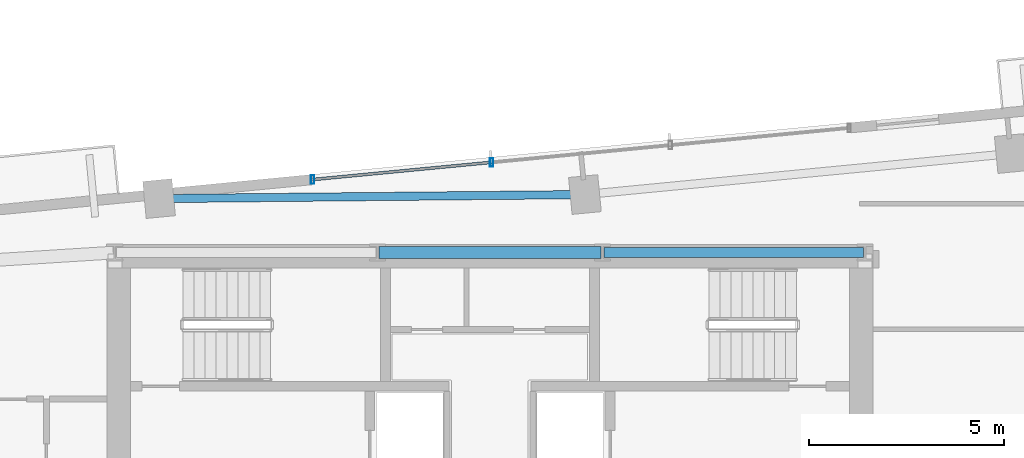
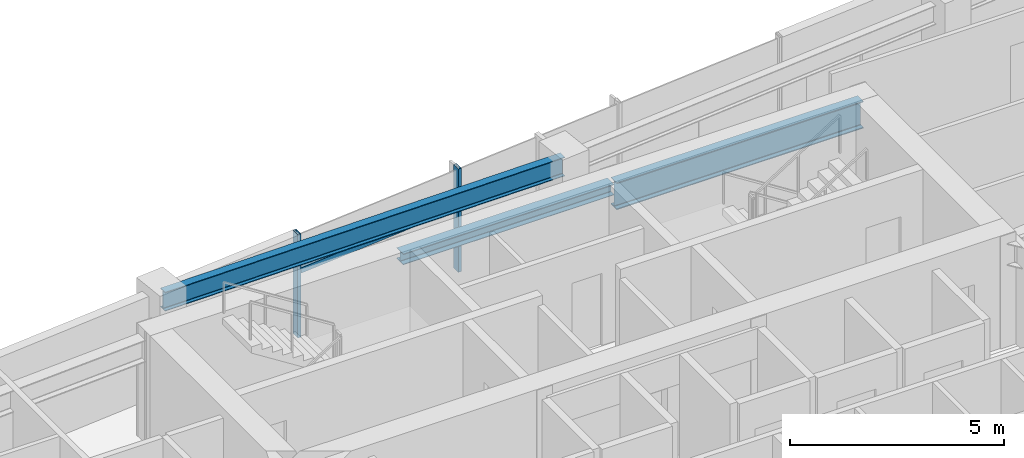
# One storey, part 6 of 18: 3 beams, 3 members, 1 element without a shape of its own.
"""IFC4 building model written with IfcOpenShell, lengths in metres."""

import ifcopenshell
import ifcopenshell.guid

model = None  # the IFC model being written
_history = None  # IfcOwnerHistory: only IFC2X3 demands one
_inside = {}  # id of a spatial element -> (the spatial element, [elements in it])
_under = {}  # id of a project, library or spatial element -> (it, [spatial elements below it])
_declared = {}  # id of a project -> (the project, [libraries it declares])
_typed = {}  # id of a type object -> (the type object, [elements of that type])
_made_of = {}  # id of a material, layer set ... -> (it, [elements and type objects made of it])


def new_model(schema):
    """Start an empty IFC model of exactly this schema.

    Asked for "IFC4X3", IfcOpenShell would pick the latest addendum, in which some entities
    have other attributes; the version numbers below select the first issue.
    IFC2X3 requires an IfcOwnerHistory on every rooted entity: one is made here for all.
    """
    global model, _history
    if schema == "IFC4X3":
        model = ifcopenshell.file(schema_version=(4, 3, 0, 0))
    else:
        model = ifcopenshell.file(schema=schema)
    _inside.clear()
    _under.clear()
    _declared.clear()
    _typed.clear()
    _made_of.clear()
    _history = None
    if model.schema == "IFC2X3":
        org = make("IfcOrganization", Name="unknown")
        user = make(
            "IfcPersonAndOrganization",
            ThePerson=make("IfcPerson", FamilyName="unknown"),
            TheOrganization=org,
        )
        app = make(
            "IfcApplication",
            ApplicationDeveloper=org,
            Version="unknown",
            ApplicationFullName="unknown",
            ApplicationIdentifier="unknown",
        )
        _history = make(
            "IfcOwnerHistory",
            OwningUser=user,
            OwningApplication=app,
            ChangeAction="ADDED",
            CreationDate=0,
        )
    return model


def make(cls, **values):
    """One entity of the class cls with the attributes given. An attribute that is None is left unset."""
    return model.create_entity(
        cls, **{name: value for name, value in values.items() if value is not None}
    )


def rooted(cls, **values):
    """An entity with a GlobalId (a new one), such as an element, a storey or a relation."""
    return make(cls, GlobalId=ifcopenshell.guid.new(), OwnerHistory=_history, **values)


def si_unit(unit_type, name, prefix=None):
    """IfcSIUnit, for example si_unit("LENGTHUNIT", "METRE", prefix="MILLI")."""
    return make("IfcSIUnit", UnitType=unit_type, Prefix=prefix, Name=name)


def assignment(units):
    """IfcUnitAssignment: the units of a project."""
    return None if units is None else make("IfcUnitAssignment", Units=units)


def point(xyz):
    """IfcCartesianPoint."""
    return None if xyz is None else make("IfcCartesianPoint", Coordinates=xyz)


def direction(xyz):
    """IfcDirection."""
    return None if xyz is None else make("IfcDirection", DirectionRatios=xyz)


def frame(location, z_axis=None, x_axis=None):
    """IfcAxis2Placement3D, a coordinate frame: its origin and axes. An axis left out is left unset."""
    return make(
        "IfcAxis2Placement3D",
        Location=point(location),
        Axis=direction(z_axis),
        RefDirection=direction(x_axis),
    )


def frame_2d(location, x_axis=None):
    """IfcAxis2Placement2D, a coordinate frame in the plane: its origin and x axis."""
    return make(
        "IfcAxis2Placement2D", Location=point(location), RefDirection=direction(x_axis)
    )


def origin():
    """The frame at (0, 0, 0) with its axes left unset."""
    return frame((0.0, 0.0, 0.0))


def origin_2d():
    """The frame at (0, 0) in the plane with its x axis left unset."""
    return frame_2d((0.0, 0.0))


def place(relative_to, where):
    """IfcLocalPlacement: puts the frame where relative to a parent placement (None: the world)."""
    return make(
        "IfcLocalPlacement", PlacementRelTo=relative_to, RelativePlacement=where
    )


def context(
    kind, dimensions, precision=None, world=None, true_north=None, identifier=None
):
    """IfcGeometricRepresentationContext, for example the 3D "Model" context."""
    return make(
        "IfcGeometricRepresentationContext",
        ContextIdentifier=identifier,
        ContextType=kind,
        CoordinateSpaceDimension=dimensions,
        Precision=precision,
        WorldCoordinateSystem=world,
        TrueNorth=true_north,
    )


def subcontext(parent, identifier, kind, view, scale=None):
    """IfcGeometricRepresentationSubContext, for example "Body" below "Model"."""
    return make(
        "IfcGeometricRepresentationSubContext",
        ContextIdentifier=identifier,
        ContextType=kind,
        ParentContext=parent,
        TargetScale=scale,
        TargetView=view,
    )


def project(units=None, contexts=None):
    """IfcProject with its units and contexts."""
    return rooted(
        "IfcProject",
        Name="project",
        RepresentationContexts=contexts,
        UnitsInContext=assignment(units),
    )


def spatial(cls, under=None, at=None, **own):
    """A site, building, storey or space (cls), placed at a placement, below another one or the project."""
    s = rooted(cls, ObjectPlacement=at, **own)
    if under is not None:
        _under.setdefault(under.id(), (under, []))[1].append(s)
    return s


def profile(cls, at=None, kind="AREA", **sizes):
    """A parametric profile (cls). Its sizes go by their IFC names, for example OverallWidth=200.0."""
    return make(cls, ProfileType=kind, Position=at, **sizes)


def hollow_rectangle(**sizes):
    """IfcRectangleHollowProfileDef."""
    return profile("IfcRectangleHollowProfileDef", **sizes)


def i_section(**sizes):
    """IfcIShapeProfileDef."""
    return profile("IfcIShapeProfileDef", **sizes)


def extrude(swept, where, along, depth):
    """IfcExtrudedAreaSolid: the profile swept, set in the frame where, extruded along a direction by depth."""
    return make(
        "IfcExtrudedAreaSolid",
        SweptArea=swept,
        Position=where,
        ExtrudedDirection=direction(along),
        Depth=depth,
    )


def shape(context_of_items, identifier, shape_type, items):
    """IfcShapeRepresentation: the items that make up one representation, for example the "Body"."""
    return make(
        "IfcShapeRepresentation",
        ContextOfItems=context_of_items,
        RepresentationIdentifier=identifier,
        RepresentationType=shape_type,
        Items=items,
    )


def source(mapping_origin, context_of_items, identifier, shape_type, items):
    """IfcRepresentationMap: a shape defined once, which mapped items show again and again."""
    return make(
        "IfcRepresentationMap",
        MappingOrigin=mapping_origin,
        MappedRepresentation=shape(context_of_items, identifier, shape_type, items),
    )


def transform(
    local_origin,
    x_axis=None,
    y_axis=None,
    z_axis=None,
    scale=None,
    scale2=None,
    scale3=None,
    uniform=True,
):
    """IfcCartesianTransformationOperator3D, or its non-uniform kind. x_axis, y_axis, z_axis: its Axis1, 2, 3."""
    if uniform:
        return make(
            "IfcCartesianTransformationOperator3D",
            Axis1=direction(x_axis),
            Axis2=direction(y_axis),
            LocalOrigin=point(local_origin),
            Scale=scale,
            Axis3=direction(z_axis),
        )
    return make(
        "IfcCartesianTransformationOperator3DnonUniform",
        Axis1=direction(x_axis),
        Axis2=direction(y_axis),
        LocalOrigin=point(local_origin),
        Scale=scale,
        Axis3=direction(z_axis),
        Scale2=scale2,
        Scale3=scale3,
    )


def mapped(mapping_source, mapping_target):
    """IfcMappedItem: shows the shape of a source again, moved by a transform."""
    return make(
        "IfcMappedItem", MappingSource=mapping_source, MappingTarget=mapping_target
    )


def material(Name=None, Category=None):
    """IfcMaterial."""
    return make("IfcMaterial", Name=Name, Category=Category)


def material_profile(
    of_material, cross_section, Name=None, Category=None, Priority=None
):
    """IfcMaterialProfile: a cross section and its material."""
    return make(
        "IfcMaterialProfile",
        Name=Name,
        Material=of_material,
        Profile=cross_section,
        Priority=Priority,
        Category=Category,
    )


def profile_set(profiles, Name=None, composite=None):
    """IfcMaterialProfileSet."""
    return make(
        "IfcMaterialProfileSet",
        Name=Name,
        MaterialProfiles=profiles,
        CompositeProfile=composite,
    )


def made_of(thing, what):
    """Note that an element or type object is made of a material, layer set ...; save() writes the relation."""
    if what is not None:
        _made_of.setdefault(what.id(), (what, []))[1].append(thing)
    return thing


def type_object(cls, material=None, **own):
    """A type object (cls), such as IfcWallType, which elements share."""
    return made_of(rooted(cls, **own), material)


def type_shapes(of_type, sources):
    """Give a type object the sources (RepresentationMaps) that its elements show as mapped items."""
    of_type.RepresentationMaps = sources


def element(
    cls,
    number,
    at=None,
    inside=None,
    cuts=None,
    type_object=None,
    material=None,
    context=None,
    identifier="Body",
    shape_type=None,
    held_by="IfcProductDefinitionShape",
    body=None,
    shapes=None,
    **own,
):
    """One element of the class cls, such as IfcWall. Its Tag is "e" and its number.

    at: its placement. inside: the storey or other place that contains it. cuts: it is an
    opening in that element (IfcRelVoidsElement). A single representation is given by context,
    identifier, shape_type and body (its items); several are given by shapes. held_by: the class
    of the entity that holds the representations. save() writes the other relations.
    """
    e = rooted(cls, Tag="e%d" % number, ObjectPlacement=at, **own)
    if body is not None:
        shapes = [shape(context, identifier, shape_type, body)]
    if shapes is not None:
        e.Representation = make(held_by, Representations=shapes)
    if inside is not None:
        _inside.setdefault(inside.id(), (inside, []))[1].append(e)
    if cuts is not None:
        rooted(
            "IfcRelVoidsElement", RelatingBuildingElement=cuts, RelatedOpeningElement=e
        )
    if type_object is not None:
        _typed.setdefault(type_object.id(), (type_object, []))[1].append(e)
    return made_of(e, material)


def aggregate(whole, parts):
    """IfcRelAggregates: a whole, such as a stair, and the parts it consists of."""
    return rooted("IfcRelAggregates", RelatingObject=whole, RelatedObjects=parts)


def save(model, path):
    """Write the relations noted so far, then the file.

    IfcRelAggregates (storeys below a building ...), IfcRelContainedInSpatialStructure (elements
    in a storey), IfcRelDefinesByType, IfcRelAssociatesMaterial and IfcRelDeclares: one each for
    every whole, place, type object, material and project.
    """
    for whole, parts in _under.values():
        aggregate(whole, parts)
    for where, things in _inside.values():
        rooted(
            "IfcRelContainedInSpatialStructure",
            RelatedElements=things,
            RelatingStructure=where,
        )
    for kind, things in _typed.values():
        rooted("IfcRelDefinesByType", RelatedObjects=things, RelatingType=kind)
    for what, things in _made_of.values():
        rooted("IfcRelAssociatesMaterial", RelatedObjects=things, RelatingMaterial=what)
    for by, libraries in _declared.values():
        rooted("IfcRelDeclares", RelatingContext=by, RelatedDefinitions=libraries)
    model.write(path)


model = new_model("IFC4")

# Units and contexts
model_context = context("Model", 3, precision=1e-05, world=origin(), true_north=direction((0.0, 1.0)))
body_context = subcontext(model_context, "Body", "Model", "MODEL_VIEW")
ifc_project = project(units=[si_unit("LENGTHUNIT", "METRE"), si_unit("AREAUNIT", "SQUARE_METRE"), si_unit("VOLUMEUNIT", "CUBIC_METRE"), si_unit("PLANEANGLEUNIT", "RADIAN"), si_unit("MASSUNIT", "GRAM", prefix="KILO")], contexts=[model_context])

# Site, building, storey
site_placement = place(None, origin())
site = spatial("IfcSite", under=ifc_project, at=site_placement, CompositionType="ELEMENT")
building_placement = place(site_placement, origin())
building = spatial("IfcBuilding", under=site, at=building_placement, Name="Astriad Promenade Condominiums", CompositionType="ELEMENT")
storey_placement = place(building_placement, frame((0.0, 0.0, 182.60009765625)))
storey = spatial("IfcBuildingStorey", under=building, at=storey_placement, Name="L52", CompositionType="ELEMENT", Elevation=182.60009765625)

# Beams
ifc_material_1 = material(Name="Steel ASTM A992 Grade 50", Category="steel")
ifc_material_profile_1 = material_profile(ifc_material_1, i_section(OverallWidth=0.267822265625, OverallDepth=0.76953125, WebThickness=0.015625, FlangeThickness=0.025390625, FilletRadius=0.021484375, at=origin_2d()), Name="W30X132")
ifc_profile_set_1 = profile_set([ifc_material_profile_1], Name="Steel ASTM A992 Grade 50")
beam_type_1 = type_object("IfcBeamType", Name="STEEL FLOOR GIRDER W30X132", PredefinedType="BEAM", material=ifc_profile_set_1)
shared_shape_1 = source(origin(), body_context, "Body", "SweptSolid", [
    extrude(i_section(OverallWidth=0.267822265625, OverallDepth=0.76953125, WebThickness=0.015625, FlangeThickness=0.025390625, FilletRadius=0.021484375, at=origin_2d()), origin(), (0.0, 0.0, 1.0), 6.64013671875),
])
type_shapes(beam_type_1, [shared_shape_1])
beam_1_placement = place(storey_placement, frame((38.919921875, 24.0, 2.55517578125), z_axis=(1.0, 0.0, 0.0), x_axis=(0.0, 1.0, 0.0)))
element("IfcBeam", 1, at=beam_1_placement, inside=storey, type_object=beam_type_1, Name="Core Ring Beam CG-N3-L52", PredefinedType="BEAM", context=body_context, shape_type="MappedRepresentation", body=[
    mapped(shared_shape_1, transform((0.0, 0.0, 0.0), scale=1.0)),
])
ifc_material_profile_2 = material_profile(ifc_material_1, i_section(OverallWidth=0.3046875, OverallDepth=0.307861328125, WebThickness=0.010009765625, FlangeThickness=0.015380859375, FilletRadius=0.01513671875, at=origin_2d()), Name="W12X65")
ifc_profile_set_2 = profile_set([ifc_material_profile_2], Name="Steel ASTM A992 Grade 50")
beam_type_2 = type_object("IfcBeamType", Name="STEEL OPENING LINTEL W12X65", PredefinedType="LINTEL", material=ifc_profile_set_2)
shared_shape_2 = source(origin(), body_context, "Body", "SweptSolid", [
    extrude(i_section(OverallWidth=0.3046875, OverallDepth=0.307861328125, WebThickness=0.010009765625, FlangeThickness=0.015380859375, FilletRadius=0.01513671875, at=origin_2d()), origin(), (0.0, 0.0, 1.0), 5.68017578125),
])
type_shapes(beam_type_2, [shared_shape_2])
beam_2_placement = place(storey_placement, frame((33.159912109375, 24.0, 2.785888671875), z_axis=(1.0, 0.0, 0.0), x_axis=(0.0, 1.0, 0.0)))
element("IfcBeam", 2, at=beam_2_placement, inside=storey, type_object=beam_type_2, Name="Core Ring Beam CG-N2-L52", PredefinedType="LINTEL", context=body_context, shape_type="MappedRepresentation", body=[
    mapped(shared_shape_2, transform((0.0, 0.0, 0.0), scale=1.0)),
])
ifc_material_profile_3 = material_profile(ifc_material_1, i_section(OverallWidth=0.210693359375, OverallDepth=0.53955078125, WebThickness=0.01171875, FlangeThickness=0.018798828125, FilletRadius=0.0166015625, at=origin_2d()), Name="W21X73")
ifc_profile_set_3 = profile_set([ifc_material_profile_3], Name="Steel ASTM A992 Grade 50")
beam_type_3 = type_object("IfcBeamType", Name="STEEL SPANDREL BEAM W21X73", PredefinedType="SPANDREL", material=ifc_profile_set_3)
shared_shape_3 = source(origin(), body_context, "Body", "SweptSolid", [
    extrude(i_section(OverallWidth=0.210693359375, OverallDepth=0.53955078125, WebThickness=0.01171875, FlangeThickness=0.018798828125, FilletRadius=0.0166015625, at=origin_2d()), origin(), (0.0, 0.0, 1.0), 10.820068359375),
])
type_shapes(beam_type_3, [shared_shape_3])
beam_3_placement = place(storey_placement, frame((38.391357421875, 25.482666015625, 2.670166015625), z_axis=(-0.999955308161, -0.009454188553, 0.0), x_axis=(0.009454188553, -0.999955308161, 0.0)))
element("IfcBeam", 3, at=beam_3_placement, inside=storey, type_object=beam_type_3, Name="Perimeter Spandrel Beam SP-N2-L52", PredefinedType="SPANDREL", context=body_context, shape_type="MappedRepresentation", body=[
    mapped(shared_shape_3, transform((0.0, 0.0, 0.0), scale=1.0)),
])

# Curtain wall, members
ifc_material_2 = material(Name="Anodised aluminium Black Dark Glass Unitised", Category="aluminium")
curtain_wall_type = type_object("IfcCurtainWallType", Name="CW-B34-DARK", PredefinedType="USERDEFINED", material=ifc_material_2)
curtain_wall_placement = place(storey_placement, origin())
curtain_wall = element("IfcCurtainWall", 4, at=curtain_wall_placement, inside=storey, type_object=curtain_wall_type, Name="CW-L52-N", ObjectType="UNITISED_CURTAIN_WALL", PredefinedType="USERDEFINED")
ifc_material_3 = material(Name="Anodised aluminium 6063-T6 Black", Category="aluminium")
ifc_material_profile_4 = material_profile(ifc_material_3, hollow_rectangle(XDim=0.0849609375, YDim=0.219970703125, WallThickness=0.0048828125, at=origin_2d()), Name="ALU-MUL-85X220")
ifc_profile_set_4 = profile_set([ifc_material_profile_4], Name="Anodised aluminium 6063-T6 Black")
member_type_1 = type_object("IfcMemberType", Name="MUL-ALU-MUL-85X220", PredefinedType="MULLION", material=ifc_profile_set_4)
shared_shape_4 = source(origin(), body_context, "Body", "SweptSolid", [
    extrude(hollow_rectangle(XDim=0.0849609375, YDim=0.219970703125, WallThickness=0.0048828125, at=origin_2d()), origin(), (0.0, 0.0, 1.0), 2.93994140625),
])
type_shapes(member_type_1, [shared_shape_4])
member_1_placement = place(storey_placement, frame((31.46240234375, 25.866943359375, 0.0), z_axis=(0.0, 0.0, 1.0), x_axis=(1.0, 0.0, 0.0)))
member_1 = element("IfcMember", 5, at=member_1_placement, type_object=member_type_1, Name="CW-L52-N-MUL-00", PredefinedType="MULLION", context=body_context, shape_type="MappedRepresentation", body=[
    mapped(shared_shape_4, transform((0.0, 0.0, 0.0), scale=1.0)),
])
member_2_placement = place(storey_placement, frame((36.041259765625, 26.307861328125, 0.0), z_axis=(0.0, 0.0, 1.0), x_axis=(1.0, 0.0, 0.0)))
member_2 = element("IfcMember", 6, at=member_2_placement, type_object=member_type_1, Name="CW-L52-N-MUL-01", PredefinedType="MULLION", context=body_context, shape_type="MappedRepresentation", body=[
    mapped(shared_shape_4, transform((0.0, 0.0, 0.0), scale=1.0)),
])
ifc_material_profile_5 = material_profile(ifc_material_3, hollow_rectangle(XDim=0.074951171875, YDim=0.14990234375, WallThickness=0.004150390625, at=origin_2d()), Name="ALU-TRN-75X150")
ifc_profile_set_5 = profile_set([ifc_material_profile_5], Name="Anodised aluminium 6063-T6 Black")
member_type_2 = type_object("IfcMemberType", Name="TRN-ALU-TRN-75X150", PredefinedType="USERDEFINED", material=ifc_profile_set_5)
shared_shape_5 = source(origin(), body_context, "Body", "SweptSolid", [
    extrude(hollow_rectangle(XDim=0.074951171875, YDim=0.14990234375, WallThickness=0.004150390625, at=origin_2d()), origin(), (0.0, 0.0, 1.0), 4.60009765625),
])
type_shapes(member_type_2, [shared_shape_5])
member_3_placement = place(storey_placement, frame((31.46240234375, 25.866943359375, 1.82275390625), z_axis=(0.995395697572, 0.095850953336, 0.0), x_axis=(-0.095850953336, 0.995395697572, 0.0)))
member_3 = element("IfcMember", 7, at=member_3_placement, type_object=member_type_2, Name="CW-L52-N-TRN-00-0", ObjectType="TRANSOM", PredefinedType="USERDEFINED", context=body_context, shape_type="MappedRepresentation", body=[
    mapped(shared_shape_5, transform((0.0, 0.0, 0.0), scale=1.0)),
])
aggregate(curtain_wall, [member_1, member_2, member_3])

save(model, "model.ifc")
